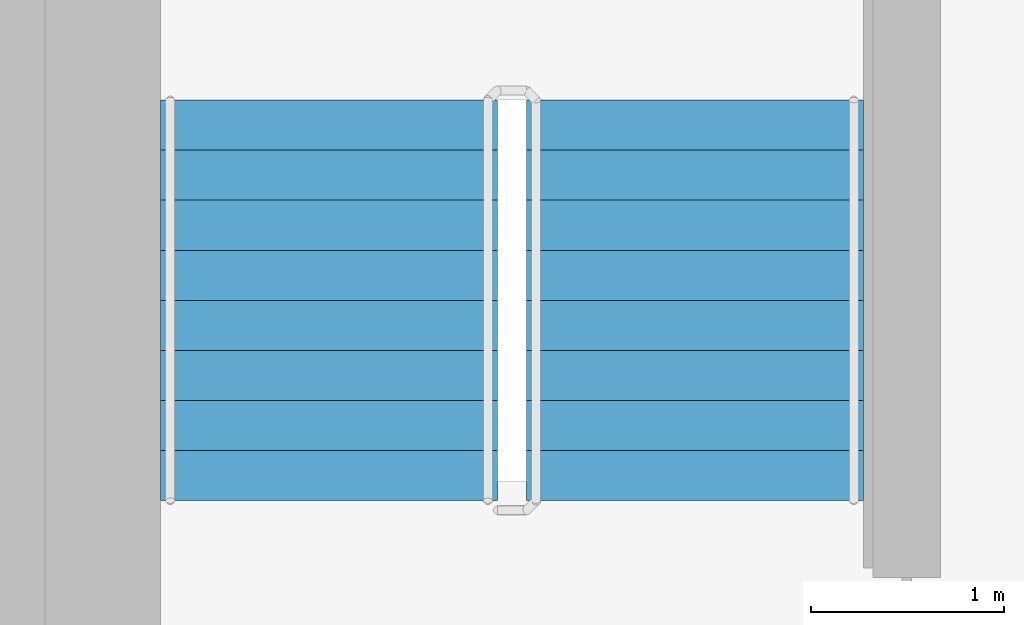
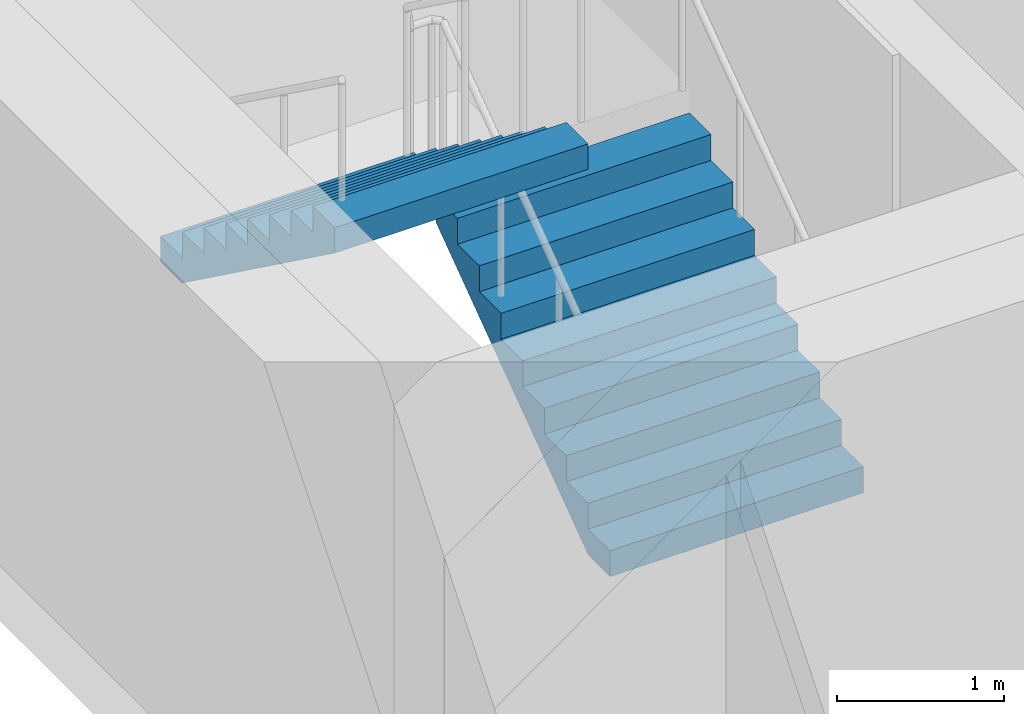
# One storey, part 15 of 18: 2 stair flights, 1 element without a shape of its own.
"""IFC4 building model written with IfcOpenShell, lengths in metres."""

from ifc_helpers import new_model, si_unit, direction, frame, origin, place, context, subcontext, project, spatial, faceted_brep, material, type_object, element, aggregate, save


model = new_model("IFC4")

# Units and contexts
model_context = context("Model", 3, precision=1e-05, world=origin(), true_north=direction((0.0, 1.0)))
body_context = subcontext(model_context, "Body", "Model", "MODEL_VIEW")
ifc_project = project(units=[si_unit("LENGTHUNIT", "METRE"), si_unit("AREAUNIT", "SQUARE_METRE"), si_unit("VOLUMEUNIT", "CUBIC_METRE"), si_unit("PLANEANGLEUNIT", "RADIAN"), si_unit("MASSUNIT", "GRAM", prefix="KILO")], contexts=[model_context])

# Site, building, storey
site_placement = place(None, origin())
site = spatial("IfcSite", under=ifc_project, at=site_placement, CompositionType="ELEMENT")
building_placement = place(site_placement, origin())
building = spatial("IfcBuilding", under=site, at=building_placement, Name="Ipe Terrace Towers", CompositionType="ELEMENT")
storey_placement = place(building_placement, frame((0.0, 0.0, 209.60009765625)))
storey = spatial("IfcBuildingStorey", under=building, at=storey_placement, Name="L58", CompositionType="ELEMENT", Elevation=209.60009765625)

# Stair, stair flights
ifc_material_1 = material(Name="Concrete C30/37", Category="concrete")
stair_type = type_object("IfcStairType", Name="Protected exit stair", PredefinedType="HALF_TURN_STAIR", material=ifc_material_1)
stair_placement = place(storey_placement, origin())
stair = element("IfcStair", 1, at=stair_placement, inside=storey, type_object=stair_type, Name="L58 Exit stair T2-C1", PredefinedType="HALF_TURN_STAIR")
ifc_material_2 = material(Name="Concrete C30/37", Category="concrete")
stair_flight_type = type_object("IfcStairFlightType", Name="Exit stair flight 1750", PredefinedType="STRAIGHT", material=ifc_material_2)
stair_flight_1_placement = place(storey_placement, frame((33.22509765625, 9.699951171875, 0.0), z_axis=(0.0, 0.0, 1.0), x_axis=(0.0, 1.0, 0.0)))
stair_flight_1 = element("IfcStairFlight", 2, at=stair_flight_1_placement, type_object=stair_flight_type, Name="T2-ST1 flight 1", NumberOfRisers=9, NumberOfTreads=8, PredefinedType="STRAIGHT", RiserHeight=0.188888889, TreadLength=0.26, context=body_context, shape_type="Brep", body=[
    faceted_brep([(0.255126953125, -0.875, 0.0), (2.080078125, -0.875, 1.325927734375), (2.080078125, -0.875, 1.51123046875), (1.820068359375, -0.875, 1.51123046875), (1.820068359375, -0.875, 1.322265625), (1.56005859375, -0.875, 1.322265625), (1.56005859375, -0.875, 1.13330078125), (1.300048828125, -0.875, 1.13330078125), (1.300048828125, -0.875, 0.9443359375), (1.0400390625, -0.875, 0.9443359375), (1.0400390625, -0.875, 0.755615234375), (0.780029296875, -0.875, 0.755615234375), (0.780029296875, -0.875, 0.566650390625), (0.52001953125, -0.875, 0.566650390625), (0.52001953125, -0.875, 0.377685546875), (0.260009765625, -0.875, 0.377685546875), (0.260009765625, -0.875, 0.18896484375), (0.0, -0.875, 0.18896484375), (0.0, -0.875, 0.0), (0.0, 0.875, 0.0), (0.0, 0.875, 0.18896484375), (0.260009765625, 0.875, 0.18896484375), (0.260009765625, 0.875, 0.377685546875), (0.52001953125, 0.875, 0.377685546875), (0.52001953125, 0.875, 0.566650390625), (0.780029296875, 0.875, 0.566650390625), (0.780029296875, 0.875, 0.755615234375), (1.0400390625, 0.875, 0.755615234375), (1.0400390625, 0.875, 0.9443359375), (1.300048828125, 0.875, 0.9443359375), (1.300048828125, 0.875, 1.13330078125), (1.56005859375, 0.875, 1.13330078125), (1.56005859375, 0.875, 1.322265625), (1.820068359375, 0.875, 1.322265625), (1.820068359375, 0.875, 1.51123046875), (2.080078125, 0.875, 1.51123046875), (2.080078125, 0.875, 1.325927734375), (0.255126953125, 0.875, 0.0), (0.0, -0.300048828125, 0.18896484375), (0.0, -0.1201171875, 0.18896484375), (0.0, -0.06005859375, 0.18896484375), (0.0, -0.030029296875, 0.18896484375), (0.0, -0.010009765625, 0.18896484375), (0.0, 0.0, 0.18896484375), (0.0, 0.010009765625, 0.18896484375), (0.0, 0.030029296875, 0.18896484375), (0.0, 0.06005859375, 0.18896484375), (0.0, 0.1201171875, 0.18896484375), (0.0, 0.300048828125, 0.18896484375), (0.0, 0.300048828125, 0.0), (0.0, 0.1201171875, 0.0), (0.0, 0.06005859375, 0.0), (0.0, 0.030029296875, 0.0), (0.0, 0.010009765625, 0.0), (0.0, 0.0, 0.0), (0.0, -0.010009765625, 0.0), (0.0, -0.030029296875, 0.0), (0.0, -0.06005859375, 0.0), (0.0, -0.1201171875, 0.0), (0.0, -0.300048828125, 0.0), (0.260009765625, -0.300048828125, 0.18896484375), (0.260009765625, -0.1201171875, 0.18896484375), (0.260009765625, -0.06005859375, 0.18896484375), (0.260009765625, -0.030029296875, 0.18896484375), (0.260009765625, -0.010009765625, 0.18896484375), (0.260009765625, 0.0, 0.18896484375), (0.260009765625, 0.010009765625, 0.18896484375), (0.260009765625, 0.030029296875, 0.18896484375), (0.260009765625, 0.06005859375, 0.18896484375), (0.260009765625, 0.1201171875, 0.18896484375), (0.260009765625, 0.300048828125, 0.18896484375), (0.260009765625, -0.300048828125, 0.377685546875), (0.260009765625, -0.1201171875, 0.377685546875), (0.260009765625, -0.06005859375, 0.377685546875), (0.260009765625, -0.030029296875, 0.377685546875), (0.260009765625, -0.010009765625, 0.377685546875), (0.260009765625, 0.0, 0.377685546875), (0.260009765625, 0.010009765625, 0.377685546875), (0.260009765625, 0.030029296875, 0.377685546875), (0.260009765625, 0.06005859375, 0.377685546875), (0.260009765625, 0.1201171875, 0.377685546875), (0.260009765625, 0.300048828125, 0.377685546875), (0.52001953125, -0.300048828125, 0.377685546875), (0.52001953125, -0.1201171875, 0.377685546875), (0.52001953125, -0.06005859375, 0.377685546875), (0.52001953125, -0.030029296875, 0.377685546875), (0.52001953125, -0.010009765625, 0.377685546875), (0.52001953125, 0.0, 0.377685546875), (0.52001953125, 0.010009765625, 0.377685546875), (0.52001953125, 0.030029296875, 0.377685546875), (0.52001953125, 0.06005859375, 0.377685546875), (0.52001953125, 0.1201171875, 0.377685546875), (0.52001953125, 0.300048828125, 0.377685546875), (0.52001953125, -0.300048828125, 0.566650390625), (0.52001953125, -0.1201171875, 0.566650390625), (0.52001953125, -0.06005859375, 0.566650390625), (0.52001953125, -0.030029296875, 0.566650390625), (0.52001953125, -0.010009765625, 0.566650390625), (0.52001953125, 0.0, 0.566650390625), (0.52001953125, 0.010009765625, 0.566650390625), (0.52001953125, 0.030029296875, 0.566650390625), (0.52001953125, 0.06005859375, 0.566650390625), (0.52001953125, 0.1201171875, 0.566650390625), (0.52001953125, 0.300048828125, 0.566650390625), (0.780029296875, -0.300048828125, 0.566650390625), (0.780029296875, -0.1201171875, 0.566650390625), (0.780029296875, -0.06005859375, 0.566650390625), (0.780029296875, -0.030029296875, 0.566650390625), (0.780029296875, -0.010009765625, 0.566650390625), (0.780029296875, 0.0, 0.566650390625), (0.780029296875, 0.010009765625, 0.566650390625), (0.780029296875, 0.030029296875, 0.566650390625), (0.780029296875, 0.06005859375, 0.566650390625), (0.780029296875, 0.1201171875, 0.566650390625), (0.780029296875, 0.300048828125, 0.566650390625), (0.780029296875, -0.300048828125, 0.755615234375), (0.780029296875, -0.1201171875, 0.755615234375), (0.780029296875, -0.06005859375, 0.755615234375), (0.780029296875, -0.030029296875, 0.755615234375), (0.780029296875, -0.010009765625, 0.755615234375), (0.780029296875, 0.0, 0.755615234375), (0.780029296875, 0.010009765625, 0.755615234375), (0.780029296875, 0.030029296875, 0.755615234375), (0.780029296875, 0.06005859375, 0.755615234375), (0.780029296875, 0.1201171875, 0.755615234375), (0.780029296875, 0.300048828125, 0.755615234375), (1.0400390625, -0.300048828125, 0.755615234375), (1.0400390625, -0.1201171875, 0.755615234375), (1.0400390625, -0.06005859375, 0.755615234375), (1.0400390625, -0.030029296875, 0.755615234375), (1.0400390625, -0.010009765625, 0.755615234375), (1.0400390625, 0.0, 0.755615234375), (1.0400390625, 0.010009765625, 0.755615234375), (1.0400390625, 0.030029296875, 0.755615234375), (1.0400390625, 0.06005859375, 0.755615234375), (1.0400390625, 0.1201171875, 0.755615234375), (1.0400390625, 0.300048828125, 0.755615234375), (1.0400390625, -0.300048828125, 0.9443359375), (1.0400390625, -0.1201171875, 0.9443359375), (1.0400390625, -0.06005859375, 0.9443359375), (1.0400390625, -0.030029296875, 0.9443359375), (1.0400390625, -0.010009765625, 0.9443359375), (1.0400390625, 0.0, 0.9443359375), (1.0400390625, 0.010009765625, 0.9443359375), (1.0400390625, 0.030029296875, 0.9443359375), (1.0400390625, 0.06005859375, 0.9443359375), (1.0400390625, 0.1201171875, 0.9443359375), (1.0400390625, 0.300048828125, 0.9443359375), (1.300048828125, -0.300048828125, 0.9443359375), (1.300048828125, -0.1201171875, 0.9443359375), (1.300048828125, -0.06005859375, 0.9443359375), (1.300048828125, -0.030029296875, 0.9443359375), (1.300048828125, -0.010009765625, 0.9443359375), (1.300048828125, 0.0, 0.9443359375), (1.300048828125, 0.010009765625, 0.9443359375), (1.300048828125, 0.030029296875, 0.9443359375), (1.300048828125, 0.06005859375, 0.9443359375), (1.300048828125, 0.1201171875, 0.9443359375), (1.300048828125, 0.300048828125, 0.9443359375), (1.300048828125, -0.300048828125, 1.13330078125), (1.300048828125, -0.1201171875, 1.13330078125), (1.300048828125, -0.06005859375, 1.13330078125), (1.300048828125, -0.030029296875, 1.13330078125), (1.300048828125, -0.010009765625, 1.13330078125), (1.300048828125, 0.0, 1.13330078125), (1.300048828125, 0.010009765625, 1.13330078125), (1.300048828125, 0.030029296875, 1.13330078125), (1.300048828125, 0.06005859375, 1.13330078125), (1.300048828125, 0.1201171875, 1.13330078125), (1.300048828125, 0.300048828125, 1.13330078125), (1.56005859375, -0.300048828125, 1.13330078125), (1.56005859375, -0.1201171875, 1.13330078125), (1.56005859375, -0.06005859375, 1.13330078125), (1.56005859375, -0.030029296875, 1.13330078125), (1.56005859375, -0.010009765625, 1.13330078125), (1.56005859375, 0.0, 1.13330078125), (1.56005859375, 0.010009765625, 1.13330078125), (1.56005859375, 0.030029296875, 1.13330078125), (1.56005859375, 0.06005859375, 1.13330078125), (1.56005859375, 0.1201171875, 1.13330078125), (1.56005859375, 0.300048828125, 1.13330078125), (1.56005859375, -0.300048828125, 1.322265625), (1.56005859375, -0.1201171875, 1.322265625), (1.56005859375, -0.06005859375, 1.322265625), (1.56005859375, -0.030029296875, 1.322265625), (1.56005859375, -0.010009765625, 1.322265625), (1.56005859375, 0.0, 1.322265625), (1.56005859375, 0.010009765625, 1.322265625), (1.56005859375, 0.030029296875, 1.322265625), (1.56005859375, 0.06005859375, 1.322265625), (1.56005859375, 0.1201171875, 1.322265625), (1.56005859375, 0.300048828125, 1.322265625), (1.820068359375, -0.300048828125, 1.322265625), (1.820068359375, -0.1201171875, 1.322265625), (1.820068359375, -0.06005859375, 1.322265625), (1.820068359375, -0.030029296875, 1.322265625), (1.820068359375, -0.010009765625, 1.322265625), (1.820068359375, 0.0, 1.322265625), (1.820068359375, 0.010009765625, 1.322265625), (1.820068359375, 0.030029296875, 1.322265625), (1.820068359375, 0.06005859375, 1.322265625), (1.820068359375, 0.1201171875, 1.322265625), (1.820068359375, 0.300048828125, 1.322265625), (1.820068359375, -0.300048828125, 1.51123046875), (1.820068359375, -0.1201171875, 1.51123046875), (1.820068359375, -0.06005859375, 1.51123046875), (1.820068359375, -0.030029296875, 1.51123046875), (1.820068359375, -0.010009765625, 1.51123046875), (1.820068359375, 0.0, 1.51123046875), (1.820068359375, 0.010009765625, 1.51123046875), (1.820068359375, 0.030029296875, 1.51123046875), (1.820068359375, 0.06005859375, 1.51123046875), (1.820068359375, 0.1201171875, 1.51123046875), (1.820068359375, 0.300048828125, 1.51123046875), (2.080078125, -0.300048828125, 1.51123046875), (2.080078125, -0.1201171875, 1.51123046875), (2.080078125, -0.06005859375, 1.51123046875), (2.080078125, -0.030029296875, 1.51123046875), (2.080078125, -0.010009765625, 1.51123046875), (2.080078125, 0.0, 1.51123046875), (2.080078125, 0.010009765625, 1.51123046875), (2.080078125, 0.030029296875, 1.51123046875), (2.080078125, 0.06005859375, 1.51123046875), (2.080078125, 0.1201171875, 1.51123046875), (2.080078125, 0.300048828125, 1.51123046875), (2.080078125, -0.300048828125, 1.325927734375), (2.080078125, -0.1201171875, 1.325927734375), (2.080078125, -0.06005859375, 1.325927734375), (2.080078125, -0.030029296875, 1.325927734375), (2.080078125, -0.010009765625, 1.325927734375), (2.080078125, 0.0, 1.325927734375), (2.080078125, 0.010009765625, 1.325927734375), (2.080078125, 0.030029296875, 1.325927734375), (2.080078125, 0.06005859375, 1.325927734375), (2.080078125, 0.1201171875, 1.325927734375), (2.080078125, 0.300048828125, 1.325927734375), (0.255126953125, -0.300048828125, 0.0), (0.255126953125, -0.1201171875, 0.0), (0.255126953125, -0.06005859375, 0.0), (0.255126953125, -0.030029296875, 0.0), (0.255126953125, -0.010009765625, 0.0), (0.255126953125, 0.0, 0.0), (0.255126953125, 0.010009765625, 0.0), (0.255126953125, 0.030029296875, 0.0), (0.255126953125, 0.06005859375, 0.0), (0.255126953125, 0.1201171875, 0.0), (0.255126953125, 0.300048828125, 0.0)], [[[0, 1, 2, 3, 4, 5, 6, 7, 8, 9, 10, 11, 12, 13, 14, 15, 16, 17, 18]], [[19, 20, 21, 22, 23, 24, 25, 26, 27, 28, 29, 30, 31, 32, 33, 34, 35, 36, 37]], [[17, 38, 39, 40, 41, 42, 43, 44, 45, 46, 47, 48, 20, 19, 49, 50, 51, 52, 53, 54, 55, 56, 57, 58, 59, 18]], [[16, 60, 61, 62, 63, 64, 65, 66, 67, 68, 69, 70, 21, 20, 48, 47, 46, 45, 44, 43, 42, 41, 40, 39, 38, 17]], [[15, 71, 72, 73, 74, 75, 76, 77, 78, 79, 80, 81, 22, 21, 70, 69, 68, 67, 66, 65, 64, 63, 62, 61, 60, 16]], [[14, 82, 83, 84, 85, 86, 87, 88, 89, 90, 91, 92, 23, 22, 81, 80, 79, 78, 77, 76, 75, 74, 73, 72, 71, 15]], [[13, 93, 94, 95, 96, 97, 98, 99, 100, 101, 102, 103, 24, 23, 92, 91, 90, 89, 88, 87, 86, 85, 84, 83, 82, 14]], [[12, 104, 105, 106, 107, 108, 109, 110, 111, 112, 113, 114, 25, 24, 103, 102, 101, 100, 99, 98, 97, 96, 95, 94, 93, 13]], [[11, 115, 116, 117, 118, 119, 120, 121, 122, 123, 124, 125, 26, 25, 114, 113, 112, 111, 110, 109, 108, 107, 106, 105, 104, 12]], [[10, 126, 127, 128, 129, 130, 131, 132, 133, 134, 135, 136, 27, 26, 125, 124, 123, 122, 121, 120, 119, 118, 117, 116, 115, 11]], [[9, 137, 138, 139, 140, 141, 142, 143, 144, 145, 146, 147, 28, 27, 136, 135, 134, 133, 132, 131, 130, 129, 128, 127, 126, 10]], [[8, 148, 149, 150, 151, 152, 153, 154, 155, 156, 157, 158, 29, 28, 147, 146, 145, 144, 143, 142, 141, 140, 139, 138, 137, 9]], [[7, 159, 160, 161, 162, 163, 164, 165, 166, 167, 168, 169, 30, 29, 158, 157, 156, 155, 154, 153, 152, 151, 150, 149, 148, 8]], [[6, 170, 171, 172, 173, 174, 175, 176, 177, 178, 179, 180, 31, 30, 169, 168, 167, 166, 165, 164, 163, 162, 161, 160, 159, 7]], [[5, 181, 182, 183, 184, 185, 186, 187, 188, 189, 190, 191, 32, 31, 180, 179, 178, 177, 176, 175, 174, 173, 172, 171, 170, 6]], [[4, 192, 193, 194, 195, 196, 197, 198, 199, 200, 201, 202, 33, 32, 191, 190, 189, 188, 187, 186, 185, 184, 183, 182, 181, 5]], [[3, 203, 204, 205, 206, 207, 208, 209, 210, 211, 212, 213, 34, 33, 202, 201, 200, 199, 198, 197, 196, 195, 194, 193, 192, 4]], [[2, 214, 215, 216, 217, 218, 219, 220, 221, 222, 223, 224, 35, 34, 213, 212, 211, 210, 209, 208, 207, 206, 205, 204, 203, 3]], [[1, 225, 226, 227, 228, 229, 230, 231, 232, 233, 234, 235, 36, 35, 224, 223, 222, 221, 220, 219, 218, 217, 216, 215, 214, 2]], [[0, 236, 237, 238, 239, 240, 241, 242, 243, 244, 245, 246, 37, 36, 235, 234, 233, 232, 231, 230, 229, 228, 227, 226, 225, 1]], [[18, 59, 58, 57, 56, 55, 54, 53, 52, 51, 50, 49, 19, 37, 246, 245, 244, 243, 242, 241, 240, 239, 238, 237, 236, 0]]]),
])
stair_flight_2_placement = place(storey_placement, frame((31.324951171875, 11.780029296875, 1.699951171875), z_axis=(0.0, 0.0, 1.0), x_axis=(0.0, -1.0, 0.0)))
stair_flight_2 = element("IfcStairFlight", 3, at=stair_flight_2_placement, type_object=stair_flight_type, Name="T2-ST1 flight 2", NumberOfRisers=9, NumberOfTreads=8, PredefinedType="STRAIGHT", RiserHeight=0.188888889, TreadLength=0.26, context=body_context, shape_type="Brep", body=[
    faceted_brep([(0.255126953125, -0.875, 0.0), (2.080078125, -0.875, 1.325927734375), (2.080078125, -0.875, 1.51123046875), (1.820068359375, -0.875, 1.51123046875), (1.820068359375, -0.875, 1.322265625), (1.56005859375, -0.875, 1.322265625), (1.56005859375, -0.875, 1.13330078125), (1.300048828125, -0.875, 1.13330078125), (1.300048828125, -0.875, 0.9443359375), (1.0400390625, -0.875, 0.9443359375), (1.0400390625, -0.875, 0.755615234375), (0.780029296875, -0.875, 0.755615234375), (0.780029296875, -0.875, 0.566650390625), (0.52001953125, -0.875, 0.566650390625), (0.52001953125, -0.875, 0.377685546875), (0.260009765625, -0.875, 0.377685546875), (0.260009765625, -0.875, 0.18896484375), (0.0, -0.875, 0.18896484375), (0.0, -0.875, 0.0), (0.0, 0.875, 0.0), (0.0, 0.875, 0.18896484375), (0.260009765625, 0.875, 0.18896484375), (0.260009765625, 0.875, 0.377685546875), (0.52001953125, 0.875, 0.377685546875), (0.52001953125, 0.875, 0.566650390625), (0.780029296875, 0.875, 0.566650390625), (0.780029296875, 0.875, 0.755615234375), (1.0400390625, 0.875, 0.755615234375), (1.0400390625, 0.875, 0.9443359375), (1.300048828125, 0.875, 0.9443359375), (1.300048828125, 0.875, 1.13330078125), (1.56005859375, 0.875, 1.13330078125), (1.56005859375, 0.875, 1.322265625), (1.820068359375, 0.875, 1.322265625), (1.820068359375, 0.875, 1.51123046875), (2.080078125, 0.875, 1.51123046875), (2.080078125, 0.875, 1.325927734375), (0.255126953125, 0.875, 0.0), (0.0, -0.300048828125, 0.18896484375), (0.0, -0.1201171875, 0.18896484375), (0.0, -0.06005859375, 0.18896484375), (0.0, -0.030029296875, 0.18896484375), (0.0, -0.010009765625, 0.18896484375), (0.0, 0.0, 0.18896484375), (0.0, 0.010009765625, 0.18896484375), (0.0, 0.030029296875, 0.18896484375), (0.0, 0.06005859375, 0.18896484375), (0.0, 0.1201171875, 0.18896484375), (0.0, 0.300048828125, 0.18896484375), (0.0, 0.300048828125, 0.0), (0.0, 0.1201171875, 0.0), (0.0, 0.06005859375, 0.0), (0.0, 0.030029296875, 0.0), (0.0, 0.010009765625, 0.0), (0.0, 0.0, 0.0), (0.0, -0.010009765625, 0.0), (0.0, -0.030029296875, 0.0), (0.0, -0.06005859375, 0.0), (0.0, -0.1201171875, 0.0), (0.0, -0.300048828125, 0.0), (0.260009765625, -0.300048828125, 0.18896484375), (0.260009765625, -0.1201171875, 0.18896484375), (0.260009765625, -0.06005859375, 0.18896484375), (0.260009765625, -0.030029296875, 0.18896484375), (0.260009765625, -0.010009765625, 0.18896484375), (0.260009765625, 0.0, 0.18896484375), (0.260009765625, 0.010009765625, 0.18896484375), (0.260009765625, 0.030029296875, 0.18896484375), (0.260009765625, 0.06005859375, 0.18896484375), (0.260009765625, 0.1201171875, 0.18896484375), (0.260009765625, 0.300048828125, 0.18896484375), (0.260009765625, -0.300048828125, 0.377685546875), (0.260009765625, -0.1201171875, 0.377685546875), (0.260009765625, -0.06005859375, 0.377685546875), (0.260009765625, -0.030029296875, 0.377685546875), (0.260009765625, -0.010009765625, 0.377685546875), (0.260009765625, 0.0, 0.377685546875), (0.260009765625, 0.010009765625, 0.377685546875), (0.260009765625, 0.030029296875, 0.377685546875), (0.260009765625, 0.06005859375, 0.377685546875), (0.260009765625, 0.1201171875, 0.377685546875), (0.260009765625, 0.300048828125, 0.377685546875), (0.52001953125, -0.300048828125, 0.377685546875), (0.52001953125, -0.1201171875, 0.377685546875), (0.52001953125, -0.06005859375, 0.377685546875), (0.52001953125, -0.030029296875, 0.377685546875), (0.52001953125, -0.010009765625, 0.377685546875), (0.52001953125, 0.0, 0.377685546875), (0.52001953125, 0.010009765625, 0.377685546875), (0.52001953125, 0.030029296875, 0.377685546875), (0.52001953125, 0.06005859375, 0.377685546875), (0.52001953125, 0.1201171875, 0.377685546875), (0.52001953125, 0.300048828125, 0.377685546875), (0.52001953125, -0.300048828125, 0.566650390625), (0.52001953125, -0.1201171875, 0.566650390625), (0.52001953125, -0.06005859375, 0.566650390625), (0.52001953125, -0.030029296875, 0.566650390625), (0.52001953125, -0.010009765625, 0.566650390625), (0.52001953125, 0.0, 0.566650390625), (0.52001953125, 0.010009765625, 0.566650390625), (0.52001953125, 0.030029296875, 0.566650390625), (0.52001953125, 0.06005859375, 0.566650390625), (0.52001953125, 0.1201171875, 0.566650390625), (0.52001953125, 0.300048828125, 0.566650390625), (0.780029296875, -0.300048828125, 0.566650390625), (0.780029296875, -0.1201171875, 0.566650390625), (0.780029296875, -0.06005859375, 0.566650390625), (0.780029296875, -0.030029296875, 0.566650390625), (0.780029296875, -0.010009765625, 0.566650390625), (0.780029296875, 0.0, 0.566650390625), (0.780029296875, 0.010009765625, 0.566650390625), (0.780029296875, 0.030029296875, 0.566650390625), (0.780029296875, 0.06005859375, 0.566650390625), (0.780029296875, 0.1201171875, 0.566650390625), (0.780029296875, 0.300048828125, 0.566650390625), (0.780029296875, -0.300048828125, 0.755615234375), (0.780029296875, -0.1201171875, 0.755615234375), (0.780029296875, -0.06005859375, 0.755615234375), (0.780029296875, -0.030029296875, 0.755615234375), (0.780029296875, -0.010009765625, 0.755615234375), (0.780029296875, 0.0, 0.755615234375), (0.780029296875, 0.010009765625, 0.755615234375), (0.780029296875, 0.030029296875, 0.755615234375), (0.780029296875, 0.06005859375, 0.755615234375), (0.780029296875, 0.1201171875, 0.755615234375), (0.780029296875, 0.300048828125, 0.755615234375), (1.0400390625, -0.300048828125, 0.755615234375), (1.0400390625, -0.1201171875, 0.755615234375), (1.0400390625, -0.06005859375, 0.755615234375), (1.0400390625, -0.030029296875, 0.755615234375), (1.0400390625, -0.010009765625, 0.755615234375), (1.0400390625, 0.0, 0.755615234375), (1.0400390625, 0.010009765625, 0.755615234375), (1.0400390625, 0.030029296875, 0.755615234375), (1.0400390625, 0.06005859375, 0.755615234375), (1.0400390625, 0.1201171875, 0.755615234375), (1.0400390625, 0.300048828125, 0.755615234375), (1.0400390625, -0.300048828125, 0.9443359375), (1.0400390625, -0.1201171875, 0.9443359375), (1.0400390625, -0.06005859375, 0.9443359375), (1.0400390625, -0.030029296875, 0.9443359375), (1.0400390625, -0.010009765625, 0.9443359375), (1.0400390625, 0.0, 0.9443359375), (1.0400390625, 0.010009765625, 0.9443359375), (1.0400390625, 0.030029296875, 0.9443359375), (1.0400390625, 0.06005859375, 0.9443359375), (1.0400390625, 0.1201171875, 0.9443359375), (1.0400390625, 0.300048828125, 0.9443359375), (1.300048828125, -0.300048828125, 0.9443359375), (1.300048828125, -0.1201171875, 0.9443359375), (1.300048828125, -0.06005859375, 0.9443359375), (1.300048828125, -0.030029296875, 0.9443359375), (1.300048828125, -0.010009765625, 0.9443359375), (1.300048828125, 0.0, 0.9443359375), (1.300048828125, 0.010009765625, 0.9443359375), (1.300048828125, 0.030029296875, 0.9443359375), (1.300048828125, 0.06005859375, 0.9443359375), (1.300048828125, 0.1201171875, 0.9443359375), (1.300048828125, 0.300048828125, 0.9443359375), (1.300048828125, -0.300048828125, 1.13330078125), (1.300048828125, -0.1201171875, 1.13330078125), (1.300048828125, -0.06005859375, 1.13330078125), (1.300048828125, -0.030029296875, 1.13330078125), (1.300048828125, -0.010009765625, 1.13330078125), (1.300048828125, 0.0, 1.13330078125), (1.300048828125, 0.010009765625, 1.13330078125), (1.300048828125, 0.030029296875, 1.13330078125), (1.300048828125, 0.06005859375, 1.13330078125), (1.300048828125, 0.1201171875, 1.13330078125), (1.300048828125, 0.300048828125, 1.13330078125), (1.56005859375, -0.300048828125, 1.13330078125), (1.56005859375, -0.1201171875, 1.13330078125), (1.56005859375, -0.06005859375, 1.13330078125), (1.56005859375, -0.030029296875, 1.13330078125), (1.56005859375, -0.010009765625, 1.13330078125), (1.56005859375, 0.0, 1.13330078125), (1.56005859375, 0.010009765625, 1.13330078125), (1.56005859375, 0.030029296875, 1.13330078125), (1.56005859375, 0.06005859375, 1.13330078125), (1.56005859375, 0.1201171875, 1.13330078125), (1.56005859375, 0.300048828125, 1.13330078125), (1.56005859375, -0.300048828125, 1.322265625), (1.56005859375, -0.1201171875, 1.322265625), (1.56005859375, -0.06005859375, 1.322265625), (1.56005859375, -0.030029296875, 1.322265625), (1.56005859375, -0.010009765625, 1.322265625), (1.56005859375, 0.0, 1.322265625), (1.56005859375, 0.010009765625, 1.322265625), (1.56005859375, 0.030029296875, 1.322265625), (1.56005859375, 0.06005859375, 1.322265625), (1.56005859375, 0.1201171875, 1.322265625), (1.56005859375, 0.300048828125, 1.322265625), (1.820068359375, -0.300048828125, 1.322265625), (1.820068359375, -0.1201171875, 1.322265625), (1.820068359375, -0.06005859375, 1.322265625), (1.820068359375, -0.030029296875, 1.322265625), (1.820068359375, -0.010009765625, 1.322265625), (1.820068359375, 0.0, 1.322265625), (1.820068359375, 0.010009765625, 1.322265625), (1.820068359375, 0.030029296875, 1.322265625), (1.820068359375, 0.06005859375, 1.322265625), (1.820068359375, 0.1201171875, 1.322265625), (1.820068359375, 0.300048828125, 1.322265625), (1.820068359375, -0.300048828125, 1.51123046875), (1.820068359375, -0.1201171875, 1.51123046875), (1.820068359375, -0.06005859375, 1.51123046875), (1.820068359375, -0.030029296875, 1.51123046875), (1.820068359375, -0.010009765625, 1.51123046875), (1.820068359375, 0.0, 1.51123046875), (1.820068359375, 0.010009765625, 1.51123046875), (1.820068359375, 0.030029296875, 1.51123046875), (1.820068359375, 0.06005859375, 1.51123046875), (1.820068359375, 0.1201171875, 1.51123046875), (1.820068359375, 0.300048828125, 1.51123046875), (2.080078125, -0.300048828125, 1.51123046875), (2.080078125, -0.1201171875, 1.51123046875), (2.080078125, -0.06005859375, 1.51123046875), (2.080078125, -0.030029296875, 1.51123046875), (2.080078125, -0.010009765625, 1.51123046875), (2.080078125, 0.0, 1.51123046875), (2.080078125, 0.010009765625, 1.51123046875), (2.080078125, 0.030029296875, 1.51123046875), (2.080078125, 0.06005859375, 1.51123046875), (2.080078125, 0.1201171875, 1.51123046875), (2.080078125, 0.300048828125, 1.51123046875), (2.080078125, -0.300048828125, 1.325927734375), (2.080078125, -0.1201171875, 1.325927734375), (2.080078125, -0.06005859375, 1.325927734375), (2.080078125, -0.030029296875, 1.325927734375), (2.080078125, -0.010009765625, 1.325927734375), (2.080078125, 0.0, 1.325927734375), (2.080078125, 0.010009765625, 1.325927734375), (2.080078125, 0.030029296875, 1.325927734375), (2.080078125, 0.06005859375, 1.325927734375), (2.080078125, 0.1201171875, 1.325927734375), (2.080078125, 0.300048828125, 1.325927734375), (0.255126953125, -0.300048828125, 0.0), (0.255126953125, -0.1201171875, 0.0), (0.255126953125, -0.06005859375, 0.0), (0.255126953125, -0.030029296875, 0.0), (0.255126953125, -0.010009765625, 0.0), (0.255126953125, 0.0, 0.0), (0.255126953125, 0.010009765625, 0.0), (0.255126953125, 0.030029296875, 0.0), (0.255126953125, 0.06005859375, 0.0), (0.255126953125, 0.1201171875, 0.0), (0.255126953125, 0.300048828125, 0.0)], [[[0, 1, 2, 3, 4, 5, 6, 7, 8, 9, 10, 11, 12, 13, 14, 15, 16, 17, 18]], [[19, 20, 21, 22, 23, 24, 25, 26, 27, 28, 29, 30, 31, 32, 33, 34, 35, 36, 37]], [[17, 38, 39, 40, 41, 42, 43, 44, 45, 46, 47, 48, 20, 19, 49, 50, 51, 52, 53, 54, 55, 56, 57, 58, 59, 18]], [[16, 60, 61, 62, 63, 64, 65, 66, 67, 68, 69, 70, 21, 20, 48, 47, 46, 45, 44, 43, 42, 41, 40, 39, 38, 17]], [[15, 71, 72, 73, 74, 75, 76, 77, 78, 79, 80, 81, 22, 21, 70, 69, 68, 67, 66, 65, 64, 63, 62, 61, 60, 16]], [[14, 82, 83, 84, 85, 86, 87, 88, 89, 90, 91, 92, 23, 22, 81, 80, 79, 78, 77, 76, 75, 74, 73, 72, 71, 15]], [[13, 93, 94, 95, 96, 97, 98, 99, 100, 101, 102, 103, 24, 23, 92, 91, 90, 89, 88, 87, 86, 85, 84, 83, 82, 14]], [[12, 104, 105, 106, 107, 108, 109, 110, 111, 112, 113, 114, 25, 24, 103, 102, 101, 100, 99, 98, 97, 96, 95, 94, 93, 13]], [[11, 115, 116, 117, 118, 119, 120, 121, 122, 123, 124, 125, 26, 25, 114, 113, 112, 111, 110, 109, 108, 107, 106, 105, 104, 12]], [[10, 126, 127, 128, 129, 130, 131, 132, 133, 134, 135, 136, 27, 26, 125, 124, 123, 122, 121, 120, 119, 118, 117, 116, 115, 11]], [[9, 137, 138, 139, 140, 141, 142, 143, 144, 145, 146, 147, 28, 27, 136, 135, 134, 133, 132, 131, 130, 129, 128, 127, 126, 10]], [[8, 148, 149, 150, 151, 152, 153, 154, 155, 156, 157, 158, 29, 28, 147, 146, 145, 144, 143, 142, 141, 140, 139, 138, 137, 9]], [[7, 159, 160, 161, 162, 163, 164, 165, 166, 167, 168, 169, 30, 29, 158, 157, 156, 155, 154, 153, 152, 151, 150, 149, 148, 8]], [[6, 170, 171, 172, 173, 174, 175, 176, 177, 178, 179, 180, 31, 30, 169, 168, 167, 166, 165, 164, 163, 162, 161, 160, 159, 7]], [[5, 181, 182, 183, 184, 185, 186, 187, 188, 189, 190, 191, 32, 31, 180, 179, 178, 177, 176, 175, 174, 173, 172, 171, 170, 6]], [[4, 192, 193, 194, 195, 196, 197, 198, 199, 200, 201, 202, 33, 32, 191, 190, 189, 188, 187, 186, 185, 184, 183, 182, 181, 5]], [[3, 203, 204, 205, 206, 207, 208, 209, 210, 211, 212, 213, 34, 33, 202, 201, 200, 199, 198, 197, 196, 195, 194, 193, 192, 4]], [[2, 214, 215, 216, 217, 218, 219, 220, 221, 222, 223, 224, 35, 34, 213, 212, 211, 210, 209, 208, 207, 206, 205, 204, 203, 3]], [[1, 225, 226, 227, 228, 229, 230, 231, 232, 233, 234, 235, 36, 35, 224, 223, 222, 221, 220, 219, 218, 217, 216, 215, 214, 2]], [[0, 236, 237, 238, 239, 240, 241, 242, 243, 244, 245, 246, 37, 36, 235, 234, 233, 232, 231, 230, 229, 228, 227, 226, 225, 1]], [[18, 59, 58, 57, 56, 55, 54, 53, 52, 51, 50, 49, 19, 37, 246, 245, 244, 243, 242, 241, 240, 239, 238, 237, 236, 0]]]),
])
aggregate(stair, [stair_flight_1, stair_flight_2])

save(model, "model.ifc")
